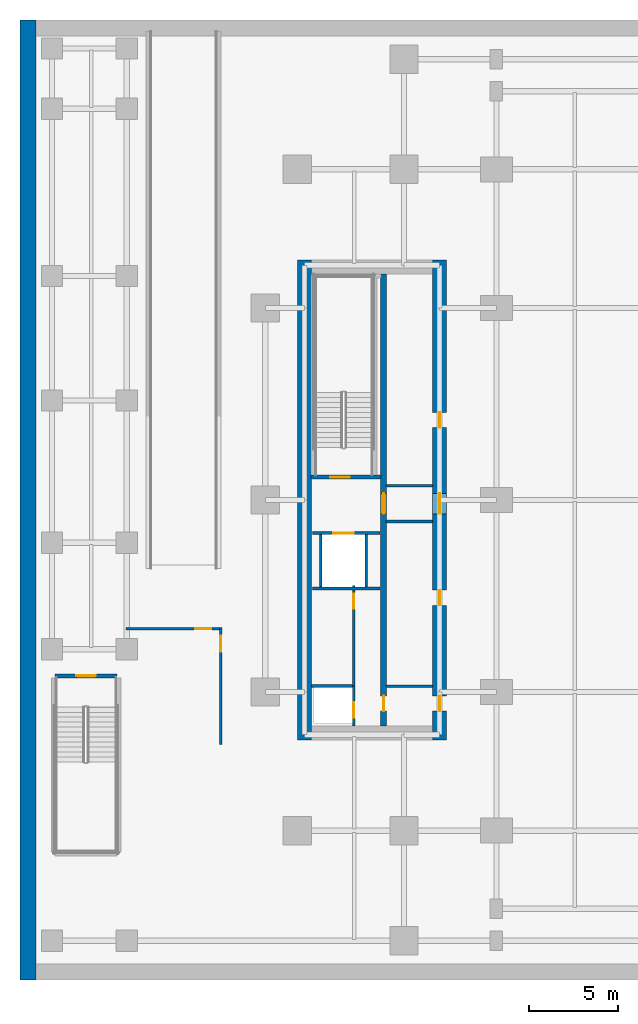
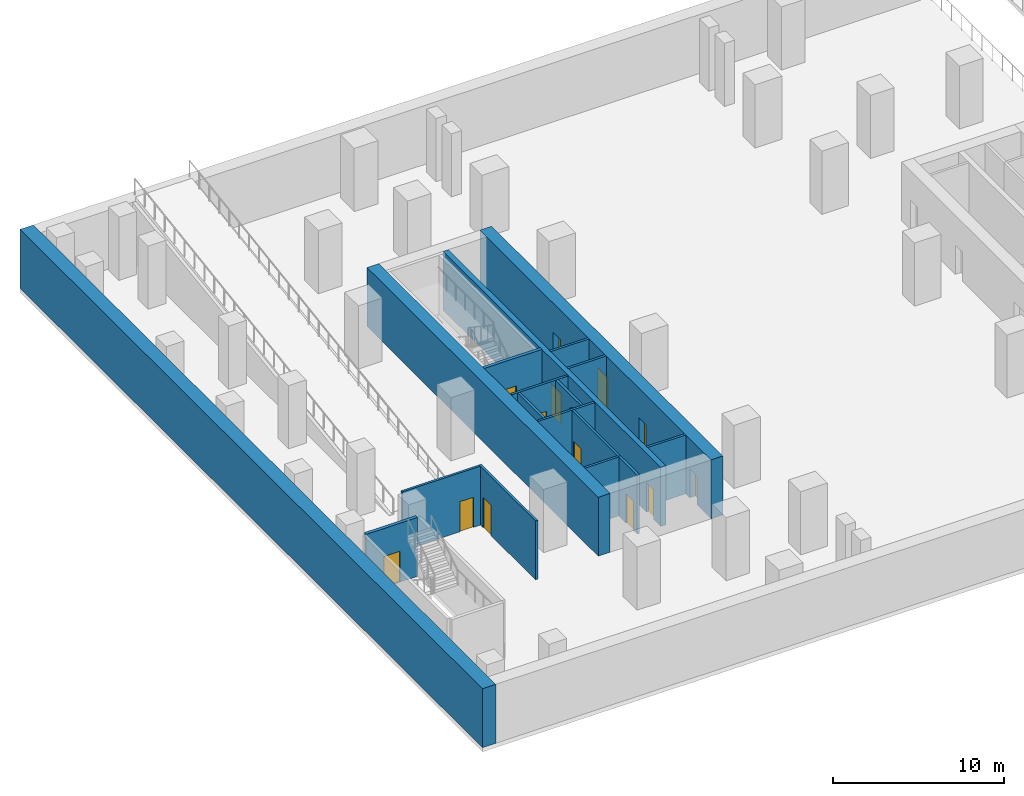
# One storey, part 4 of 14: 18 walls, 13 doors, 13 openings.
"""IFC4 building model written with IfcOpenShell, lengths in metres."""

import ifcopenshell
import ifcopenshell.guid

model = None  # the IFC model being written
_history = None  # IfcOwnerHistory: only IFC2X3 demands one
_inside = {}  # id of a spatial element -> (the spatial element, [elements in it])
_under = {}  # id of a project, library or spatial element -> (it, [spatial elements below it])
_declared = {}  # id of a project -> (the project, [libraries it declares])
_typed = {}  # id of a type object -> (the type object, [elements of that type])
_made_of = {}  # id of a material, layer set ... -> (it, [elements and type objects made of it])


def new_model(schema):
    """Start an empty IFC model of exactly this schema.

    Asked for "IFC4X3", IfcOpenShell would pick the latest addendum, in which some entities
    have other attributes; the version numbers below select the first issue.
    IFC2X3 requires an IfcOwnerHistory on every rooted entity: one is made here for all.
    """
    global model, _history
    if schema == "IFC4X3":
        model = ifcopenshell.file(schema_version=(4, 3, 0, 0))
    else:
        model = ifcopenshell.file(schema=schema)
    _inside.clear()
    _under.clear()
    _declared.clear()
    _typed.clear()
    _made_of.clear()
    _history = None
    if model.schema == "IFC2X3":
        org = make("IfcOrganization", Name="unknown")
        user = make(
            "IfcPersonAndOrganization",
            ThePerson=make("IfcPerson", FamilyName="unknown"),
            TheOrganization=org,
        )
        app = make(
            "IfcApplication",
            ApplicationDeveloper=org,
            Version="unknown",
            ApplicationFullName="unknown",
            ApplicationIdentifier="unknown",
        )
        _history = make(
            "IfcOwnerHistory",
            OwningUser=user,
            OwningApplication=app,
            ChangeAction="ADDED",
            CreationDate=0,
        )
    return model


def make(cls, **values):
    """One entity of the class cls with the attributes given. An attribute that is None is left unset."""
    return model.create_entity(
        cls, **{name: value for name, value in values.items() if value is not None}
    )


def rooted(cls, **values):
    """An entity with a GlobalId (a new one), such as an element, a storey or a relation."""
    return make(cls, GlobalId=ifcopenshell.guid.new(), OwnerHistory=_history, **values)


def si_unit(unit_type, name, prefix=None):
    """IfcSIUnit, for example si_unit("LENGTHUNIT", "METRE", prefix="MILLI")."""
    return make("IfcSIUnit", UnitType=unit_type, Prefix=prefix, Name=name)


def assignment(units):
    """IfcUnitAssignment: the units of a project."""
    return None if units is None else make("IfcUnitAssignment", Units=units)


def point(xyz):
    """IfcCartesianPoint."""
    return None if xyz is None else make("IfcCartesianPoint", Coordinates=xyz)


def direction(xyz):
    """IfcDirection."""
    return None if xyz is None else make("IfcDirection", DirectionRatios=xyz)


def frame(location, z_axis=None, x_axis=None):
    """IfcAxis2Placement3D, a coordinate frame: its origin and axes. An axis left out is left unset."""
    return make(
        "IfcAxis2Placement3D",
        Location=point(location),
        Axis=direction(z_axis),
        RefDirection=direction(x_axis),
    )


def frame_2d(location, x_axis=None):
    """IfcAxis2Placement2D, a coordinate frame in the plane: its origin and x axis."""
    return make(
        "IfcAxis2Placement2D", Location=point(location), RefDirection=direction(x_axis)
    )


def origin():
    """The frame at (0, 0, 0) with its axes left unset."""
    return frame((0.0, 0.0, 0.0))


def place(relative_to, where):
    """IfcLocalPlacement: puts the frame where relative to a parent placement (None: the world)."""
    return make(
        "IfcLocalPlacement", PlacementRelTo=relative_to, RelativePlacement=where
    )


def context(
    kind, dimensions, precision=None, world=None, true_north=None, identifier=None
):
    """IfcGeometricRepresentationContext, for example the 3D "Model" context."""
    return make(
        "IfcGeometricRepresentationContext",
        ContextIdentifier=identifier,
        ContextType=kind,
        CoordinateSpaceDimension=dimensions,
        Precision=precision,
        WorldCoordinateSystem=world,
        TrueNorth=true_north,
    )


def subcontext(parent, identifier, kind, view, scale=None):
    """IfcGeometricRepresentationSubContext, for example "Body" below "Model"."""
    return make(
        "IfcGeometricRepresentationSubContext",
        ContextIdentifier=identifier,
        ContextType=kind,
        ParentContext=parent,
        TargetScale=scale,
        TargetView=view,
    )


def project(units=None, contexts=None):
    """IfcProject with its units and contexts."""
    return rooted(
        "IfcProject",
        Name="project",
        RepresentationContexts=contexts,
        UnitsInContext=assignment(units),
    )


def spatial(cls, under=None, at=None, **own):
    """A site, building, storey or space (cls), placed at a placement, below another one or the project."""
    s = rooted(cls, ObjectPlacement=at, **own)
    if under is not None:
        _under.setdefault(under.id(), (under, []))[1].append(s)
    return s


def profile(cls, at=None, kind="AREA", **sizes):
    """A parametric profile (cls). Its sizes go by their IFC names, for example OverallWidth=200.0."""
    return make(cls, ProfileType=kind, Position=at, **sizes)


def rectangle(**sizes):
    """IfcRectangleProfileDef."""
    return profile("IfcRectangleProfileDef", **sizes)


def extrude(swept, where, along, depth):
    """IfcExtrudedAreaSolid: the profile swept, set in the frame where, extruded along a direction by depth."""
    return make(
        "IfcExtrudedAreaSolid",
        SweptArea=swept,
        Position=where,
        ExtrudedDirection=direction(along),
        Depth=depth,
    )


def shape(context_of_items, identifier, shape_type, items):
    """IfcShapeRepresentation: the items that make up one representation, for example the "Body"."""
    return make(
        "IfcShapeRepresentation",
        ContextOfItems=context_of_items,
        RepresentationIdentifier=identifier,
        RepresentationType=shape_type,
        Items=items,
    )


def material(Name=None, Category=None):
    """IfcMaterial."""
    return make("IfcMaterial", Name=Name, Category=Category)


def layer(
    of_material, thickness, ventilated=None, Name=None, Category=None, Priority=None
):
    """IfcMaterialLayer: one layer of a wall or slab, of a material (None: an air gap)."""
    return make(
        "IfcMaterialLayer",
        Material=of_material,
        LayerThickness=thickness,
        IsVentilated=ventilated,
        Name=Name,
        Category=Category,
        Priority=Priority,
    )


def layer_set(layers, Name=None):
    """IfcMaterialLayerSet."""
    return make("IfcMaterialLayerSet", MaterialLayers=layers, LayerSetName=Name)


def made_of(thing, what):
    """Note that an element or type object is made of a material, layer set ...; save() writes the relation."""
    if what is not None:
        _made_of.setdefault(what.id(), (what, []))[1].append(thing)
    return thing


def type_object(cls, material=None, **own):
    """A type object (cls), such as IfcWallType, which elements share."""
    return made_of(rooted(cls, **own), material)


def element(
    cls,
    number,
    at=None,
    inside=None,
    cuts=None,
    type_object=None,
    material=None,
    context=None,
    identifier="Body",
    shape_type=None,
    held_by="IfcProductDefinitionShape",
    body=None,
    shapes=None,
    **own,
):
    """One element of the class cls, such as IfcWall. Its Tag is "e" and its number.

    at: its placement. inside: the storey or other place that contains it. cuts: it is an
    opening in that element (IfcRelVoidsElement). A single representation is given by context,
    identifier, shape_type and body (its items); several are given by shapes. held_by: the class
    of the entity that holds the representations. save() writes the other relations.
    """
    e = rooted(cls, Tag="e%d" % number, ObjectPlacement=at, **own)
    if body is not None:
        shapes = [shape(context, identifier, shape_type, body)]
    if shapes is not None:
        e.Representation = make(held_by, Representations=shapes)
    if inside is not None:
        _inside.setdefault(inside.id(), (inside, []))[1].append(e)
    if cuts is not None:
        rooted(
            "IfcRelVoidsElement", RelatingBuildingElement=cuts, RelatedOpeningElement=e
        )
    if type_object is not None:
        _typed.setdefault(type_object.id(), (type_object, []))[1].append(e)
    return made_of(e, material)


def fill(opening, filler):
    """IfcRelFillsElement: the door or window that sits in an opening."""
    return rooted(
        "IfcRelFillsElement",
        RelatingOpeningElement=opening,
        RelatedBuildingElement=filler,
    )


def aggregate(whole, parts):
    """IfcRelAggregates: a whole, such as a stair, and the parts it consists of."""
    return rooted("IfcRelAggregates", RelatingObject=whole, RelatedObjects=parts)


def save(model, path):
    """Write the relations noted so far, then the file.

    IfcRelAggregates (storeys below a building ...), IfcRelContainedInSpatialStructure (elements
    in a storey), IfcRelDefinesByType, IfcRelAssociatesMaterial and IfcRelDeclares: one each for
    every whole, place, type object, material and project.
    """
    for whole, parts in _under.values():
        aggregate(whole, parts)
    for where, things in _inside.values():
        rooted(
            "IfcRelContainedInSpatialStructure",
            RelatedElements=things,
            RelatingStructure=where,
        )
    for kind, things in _typed.values():
        rooted("IfcRelDefinesByType", RelatedObjects=things, RelatingType=kind)
    for what, things in _made_of.values():
        rooted("IfcRelAssociatesMaterial", RelatedObjects=things, RelatingMaterial=what)
    for by, libraries in _declared.values():
        rooted("IfcRelDeclares", RelatingContext=by, RelatedDefinitions=libraries)
    model.write(path)


model = new_model("IFC4")

# Units and contexts
model_context = context("Model", 3, precision=1e-05, world=origin(), true_north=direction((0.0, 1.0)))
body_context = subcontext(model_context, "Body", "Model", "MODEL_VIEW")
ifc_project = project(units=[si_unit("LENGTHUNIT", "METRE"), si_unit("AREAUNIT", "SQUARE_METRE"), si_unit("VOLUMEUNIT", "CUBIC_METRE"), si_unit("PLANEANGLEUNIT", "RADIAN"), si_unit("MASSUNIT", "GRAM", prefix="KILO")], contexts=[model_context])

# Site, building, storey
site_placement = place(None, origin())
site = spatial("IfcSite", under=ifc_project, at=site_placement, CompositionType="ELEMENT")
building_placement = place(site_placement, origin())
building = spatial("IfcBuilding", under=site, at=building_placement, Name="Khairoan Windgate Tower", CompositionType="ELEMENT")
storey_placement = place(building_placement, frame((0.0, 0.0, -4.5)))
storey = spatial("IfcBuildingStorey", under=building, at=storey_placement, Name="B1", CompositionType="ELEMENT", Elevation=-4.5)

# Wall, opening, door
ifc_material_1 = material(Name="Concrete C40/50", Category="concrete")
ifc_layer_1 = layer(ifc_material_1, 0.159912109375, Name="Concrete C40/50")
ifc_layer_set_1 = layer_set([ifc_layer_1], Name="Concrete C40/50")
wall_type_1 = type_object("IfcWallType", Name="Core and Hoistway Enclosure Wall", PredefinedType="STANDARD", material=ifc_layer_set_1)
wall_1_placement = place(storey_placement, frame((-19.550048828125, -1.860107421875, 0.0), z_axis=(0.0, 0.0, 1.0), x_axis=(1.0, 0.0, 0.0)))
wall_1 = element("IfcWall", 1, at=wall_1_placement, inside=storey, type_object=wall_type_1, Name="B1 Core Shaft Wall SW-FL2-B1", PredefinedType="STANDARD", context=body_context, shape_type="SweptSolid", body=[
    extrude(rectangle(XDim=3.800048828125, YDim=0.159912109375, at=frame_2d((1.89990234375, 0.0))), origin(), (0.0, 0.0, 1.0), 4.199951171875),
])
opening_1_placement = place(wall_1_placement, frame((1.179931640625, 0.0, 0.0)))
opening_1 = element("IfcOpeningElement", 2, at=opening_1_placement, cuts=wall_1, Name="Opening LD-FL", PredefinedType="OPENING", context=body_context, shape_type="SweptSolid", body=[
    extrude(rectangle(XDim=1.14990234375, YDim=2.199951171875, at=frame_2d((0.574951171875, 1.10009765625))), frame((0.0, 0.08984375, 0.0), z_axis=(0.0, -1.0, 0.0), x_axis=(1.0, 0.0, 0.0)), (0.0, 0.0, 1.0), 0.179931640625),
])
ifc_material_2 = material(Name="Steel S355", Category="steel")
door_type_1 = type_object("IfcDoorType", Name="Firefighting Lift Sliding Landing Door LD-FL 1150x2200", OperationType="DOUBLE_DOOR_SLIDING", PredefinedType="DOOR", material=ifc_material_2)
door_1_placement = place(opening_1_placement, origin())
door_1 = element("IfcDoor", 3, at=door_1_placement, inside=storey, type_object=door_type_1, Name="B1 Firefighting Lift FL2 Landing Door", OperationType="DOUBLE_DOOR_SLIDING", OverallHeight=2.199951171875, OverallWidth=1.14990234375, PredefinedType="DOOR", context=body_context, shape_type="SweptSolid", body=[
    extrude(rectangle(XDim=1.14990234375, YDim=2.199951171875, at=frame_2d((0.574951171875, 1.10009765625))), frame((0.0, 0.02490234375, 0.0), z_axis=(0.0, -1.0, 0.0), x_axis=(1.0, 0.0, 0.0)), (0.0, 0.0, 1.0), 0.050048828125),
])
fill(opening_1, door_1)

# Walls
wall_2_placement = place(storey_placement, frame((-19.550048828125, -4.97998046875, 0.0), z_axis=(0.0, 0.0, 1.0), x_axis=(1.0, 0.0, 0.0)))
element("IfcWall", 4, at=wall_2_placement, inside=storey, type_object=wall_type_1, Name="B1 Core Shaft Wall SW-FL2B-B1", PredefinedType="STANDARD", context=body_context, shape_type="SweptSolid", body=[
    extrude(rectangle(XDim=3.800048828125, YDim=0.159912109375, at=frame_2d((1.89990234375, 0.0))), origin(), (0.0, 0.0, 1.0), 4.199951171875),
])
for number, where, z_axis, x_axis, name in (
    (5, (-19.080078125, -4.89990234375, 0.0), (0.0, 0.0, 1.0), (0.0, 1.0, 0.0), "B1 Core Shaft Wall SW-FL2W-B1"),
    (6, (-16.52001953125, -4.89990234375, 0.0), (0.0, 0.0, 1.0), (0.0, 1.0, 0.0), "B1 Core Shaft Wall SW-FL2E-B1"),
):
    element("IfcWall", number, at=place(storey_placement, frame(where, z_axis=z_axis, x_axis=x_axis)), inside=storey, type_object=wall_type_1, Name=name, PredefinedType="STANDARD", context=body_context, shape_type="SweptSolid", body=[
        extrude(rectangle(XDim=2.9599609375, YDim=0.159912109375, at=frame_2d((1.47998046875, 0.0))), origin(), (0.0, 0.0, 1.0), 4.199951171875),
    ])
for number, where, z_axis, x_axis, name in (
    (7, (-15.39990234375, 0.800048828125, 0.0), (0.0, 0.0, 1.0), (1.0, 0.0, 0.0), "B1 Core Shaft Wall SW-WV1-B1"),
    (8, (-15.39990234375, -1.199951171875, 0.0), (0.0, 0.0, 1.0), (1.0, 0.0, 0.0), "B1 Core Shaft Wall SW-WV2-B1"),
    (9, (-15.39990234375, -10.47998046875, 0.0), (0.0, 0.0, 1.0), (1.0, 0.0, 0.0), "B1 Core Shaft Wall SW-WSV-B1"),
):
    element("IfcWall", number, at=place(storey_placement, frame(where, z_axis=z_axis, x_axis=x_axis)), inside=storey, type_object=wall_type_1, Name=name, PredefinedType="STANDARD", context=body_context, shape_type="SweptSolid", body=[
        extrude(rectangle(XDim=2.599853515625, YDim=0.159912109375, at=frame_2d((1.2998046875, 0.0))), origin(), (0.0, 0.0, 1.0), 4.199951171875),
    ])

# Wall, opening, door
ifc_material_3 = material(Name="Concrete C40/50", Category="concrete")
ifc_layer_2 = layer(ifc_material_3, 0.159912109375, Name="Concrete C40/50")
ifc_layer_set_2 = layer_set([ifc_layer_2], Name="Concrete C40/50")
wall_type_2 = type_object("IfcWallType", Name="Plant and Refuge Compartment Wall", PredefinedType="PARTITIONING", material=ifc_layer_set_2)
wall_3_placement = place(storey_placement, frame((-17.22998046875, -12.699951171875, 0.0), z_axis=(0.0, 0.0, 1.0), x_axis=(0.0, 1.0, 0.0)))
wall_3 = element("IfcWall", 10, at=wall_3_placement, inside=storey, type_object=wall_type_2, Name="B1 Interior Partition 001", PredefinedType="PARTITIONING", context=body_context, shape_type="SweptSolid", body=[
    extrude(rectangle(XDim=2.22998046875, YDim=0.159912109375, at=frame_2d((1.114990234375, 0.0))), origin(), (0.0, 0.0, 1.0), 4.199951171875),
])
opening_2_placement = place(wall_3_placement, frame((0.4599609375, 0.0, 0.0)))
opening_2 = element("IfcOpeningElement", 11, at=opening_2_placement, cuts=wall_3, Name="Opening FD-SRV", PredefinedType="OPENING", context=body_context, shape_type="SweptSolid", body=[
    extrude(rectangle(XDim=0.85009765625, YDim=2.10009765625, at=frame_2d((0.425048828125, 1.050048828125))), frame((0.0, 0.08984375, 0.0), z_axis=(0.0, -1.0, 0.0), x_axis=(1.0, 0.0, 0.0)), (0.0, 0.0, 1.0), 0.179931640625),
])
ifc_material_4 = material(Name="Steel S355", Category="steel")
door_type_2 = type_object("IfcDoorType", Name="Core Service and Riser Fire Door FD-SRV 850x2100", OperationType="NOTDEFINED", PredefinedType="DOOR", material=ifc_material_4)
door_2_placement = place(opening_2_placement, origin())
door_2 = element("IfcDoor", 12, at=door_2_placement, inside=storey, type_object=door_type_2, Name="B1 B1-04-B1-05 Door", OperationType="SINGLE_SWING_LEFT", OverallHeight=2.10009765625, OverallWidth=0.85009765625, PredefinedType="DOOR", context=body_context, shape_type="SweptSolid", body=[
    extrude(rectangle(XDim=0.85009765625, YDim=2.10009765625, at=frame_2d((0.425048828125, 1.050048828125))), frame((0.0, 0.02490234375, 0.0), z_axis=(0.0, -1.0, 0.0), x_axis=(1.0, 0.0, 0.0)), (0.0, 0.0, 1.0), 0.050048828125),
])
fill(opening_2, door_2)

wall_4_placement = place(storey_placement, frame((-17.22998046875, -10.469970703125, 0.0), z_axis=(0.0, 0.0, 1.0), x_axis=(0.0, 1.0, 0.0)))
wall_4 = element("IfcWall", 13, at=wall_4_placement, inside=storey, type_object=wall_type_2, Name="B1 Interior Partition 002", PredefinedType="PARTITIONING", context=body_context, shape_type="SweptSolid", body=[
    extrude(rectangle(XDim=5.659912109375, YDim=0.159912109375, at=frame_2d((2.830078125, 0.0))), origin(), (0.0, 0.0, 1.0), 4.199951171875),
])
opening_3_placement = place(wall_4_placement, frame((4.35009765625, 0.0, 0.0)))
opening_3 = element("IfcOpeningElement", 14, at=opening_3_placement, cuts=wall_4, Name="Opening FD-SRV", PredefinedType="OPENING", context=body_context, shape_type="SweptSolid", body=[
    extrude(rectangle(XDim=0.85009765625, YDim=2.10009765625, at=frame_2d((0.425048828125, 1.050048828125))), frame((0.0, 0.08984375, 0.0), z_axis=(0.0, -1.0, 0.0), x_axis=(1.0, 0.0, 0.0)), (0.0, 0.0, 1.0), 0.179931640625),
])
door_3_placement = place(opening_3_placement, origin())
door_3 = element("IfcDoor", 15, at=door_3_placement, inside=storey, type_object=door_type_2, Name="B1 B1-04-B1-06 Door", OperationType="SINGLE_SWING_RIGHT", OverallHeight=2.10009765625, OverallWidth=0.85009765625, PredefinedType="DOOR", context=body_context, shape_type="SweptSolid", body=[
    extrude(rectangle(XDim=0.85009765625, YDim=2.10009765625, at=frame_2d((0.425048828125, 1.050048828125))), frame((0.0, 0.02490234375, 0.0), z_axis=(0.0, -1.0, 0.0), x_axis=(1.0, 0.0, 0.0)), (0.0, 0.0, 1.0), 0.050048828125),
])
fill(opening_3, door_3)

# Wall
wall_5_placement = place(storey_placement, frame((-19.60009765625, -10.469970703125, 0.0), z_axis=(0.0, 0.0, 1.0), x_axis=(1.0, 0.0, 0.0)))
element("IfcWall", 16, at=wall_5_placement, inside=storey, type_object=wall_type_2, Name="B1 Interior Partition 003", PredefinedType="PARTITIONING", context=body_context, shape_type="SweptSolid", body=[
    extrude(rectangle(XDim=2.2900390625, YDim=0.159912109375, at=frame_2d((1.14501953125, 0.0))), origin(), (0.0, 0.0, 1.0), 4.199951171875),
])

# Wall, opening, door
ifc_material_5 = material(Name="Acoustic Fire-Rated Gypsum Partition", Category="gypsum")
ifc_layer_3 = layer(ifc_material_5, 0.14990234375, Name="Acoustic Fire-Rated Gypsum Partition")
ifc_layer_set_3 = layer_set([ifc_layer_3], Name="Acoustic Fire-Rated Gypsum Partition")
wall_type_3 = type_object("IfcWallType", Name="Rated Corridor Partition Wall", PredefinedType="PARTITIONING", material=ifc_layer_set_3)
wall_6_placement = place(storey_placement, frame((-24.699951171875, -13.760009765625, 0.0), z_axis=(0.0, 0.0, 1.0), x_axis=(0.0, 1.0, 0.0)))
wall_6 = element("IfcWall", 17, at=wall_6_placement, inside=storey, type_object=wall_type_3, Name="B1 Interior Partition 010", PredefinedType="PARTITIONING", context=body_context, shape_type="SweptSolid", body=[
    extrude(rectangle(XDim=6.594970703125, YDim=0.14990234375, at=frame_2d((3.29736328125, 0.0))), origin(), (0.0, 0.0, 1.0), 4.199951171875),
])
opening_4_placement = place(wall_6_placement, frame((5.235107421875, 0.0, 0.0)))
opening_4 = element("IfcOpeningElement", 18, at=opening_4_placement, cuts=wall_6, Name="Opening FD-ENT", PredefinedType="OPENING", context=body_context, shape_type="SweptSolid", body=[
    extrude(rectangle(XDim=0.89990234375, YDim=2.14990234375, at=frame_2d((0.449951171875, 1.074951171875))), frame((0.0, 0.0849609375, 0.0), z_axis=(0.0, -1.0, 0.0), x_axis=(1.0, 0.0, 0.0)), (0.0, 0.0, 1.0), 0.169921875),
])
ifc_material_6 = material(Name="Timber Fire-Rated Core", Category="wood")
door_type_3 = type_object("IfcDoorType", Name="Unit and Office Fire Entrance Door FD-ENT 900x2150", OperationType="NOTDEFINED", PredefinedType="DOOR", material=ifc_material_6)
door_4_placement = place(opening_4_placement, origin())
door_4 = element("IfcDoor", 19, at=door_4_placement, inside=storey, type_object=door_type_3, Name="B1 B1-34-B1-47 Door", OperationType="SINGLE_SWING_LEFT", OverallHeight=2.14990234375, OverallWidth=0.89990234375, PredefinedType="DOOR", context=body_context, shape_type="SweptSolid", body=[
    extrude(rectangle(XDim=0.89990234375, YDim=2.14990234375, at=frame_2d((0.449951171875, 1.074951171875))), frame((0.0, 0.02490234375, 0.0), z_axis=(0.0, -1.0, 0.0), x_axis=(1.0, 0.0, 0.0)), (0.0, 0.0, 1.0), 0.050048828125),
])
fill(opening_4, door_4)

wall_7_placement = place(storey_placement, frame((-30.0400390625, -7.239990234375, 0.0), z_axis=(0.0, 0.0, 1.0), x_axis=(1.0, 0.0, 0.0)))
wall_7 = element("IfcWall", 20, at=wall_7_placement, inside=storey, type_object=wall_type_3, Name="B1 Interior Partition 012", PredefinedType="PARTITIONING", context=body_context, shape_type="SweptSolid", body=[
    extrude(rectangle(XDim=5.26513671875, YDim=0.14990234375, at=frame_2d((2.632568359375, 0.0))), origin(), (0.0, 0.0, 1.0), 4.199951171875),
])
opening_5_placement = place(wall_7_placement, frame((3.905029296875, 0.0, 0.0)))
opening_5 = element("IfcOpeningElement", 21, at=opening_5_placement, cuts=wall_7, Name="Opening FD-ENT", PredefinedType="OPENING", context=body_context, shape_type="SweptSolid", body=[
    extrude(rectangle(XDim=0.89990234375, YDim=2.14990234375, at=frame_2d((0.449951171875, 1.074951171875))), frame((0.0, 0.0849609375, 0.0), z_axis=(0.0, -1.0, 0.0), x_axis=(1.0, 0.0, 0.0)), (0.0, 0.0, 1.0), 0.169921875),
])
door_5_placement = place(opening_5_placement, origin())
door_5 = element("IfcDoor", 22, at=door_5_placement, inside=storey, type_object=door_type_3, Name="B1 B1-43-B1-47 Door", OperationType="SINGLE_SWING_LEFT", OverallHeight=2.14990234375, OverallWidth=0.89990234375, PredefinedType="DOOR", context=body_context, shape_type="SweptSolid", body=[
    extrude(rectangle(XDim=0.89990234375, YDim=2.14990234375, at=frame_2d((0.449951171875, 1.074951171875))), frame((0.0, 0.02490234375, 0.0), z_axis=(0.0, -1.0, 0.0), x_axis=(1.0, 0.0, 0.0)), (0.0, 0.0, 1.0), 0.050048828125),
])
fill(opening_5, door_5)

# Wall
ifc_material_7 = material(Name="Concrete C70/85", Category="concrete")
ifc_layer_4 = layer(ifc_material_7, 0.800048828125, Name="Concrete C70/85")
ifc_layer_set_4 = layer_set([ifc_layer_4], Name="Concrete C70/85")
wall_type_4 = type_object("IfcWallType", Name="Shear Wall CW-W1 800mm", PredefinedType="SHEAR", material=ifc_layer_set_4)
wall_8_placement = place(storey_placement, frame((-20.0, -13.5, 0.0), z_axis=(0.0, 0.0, 1.0), x_axis=(0.0, 1.0, 0.0)))
element("IfcWall", 23, at=wall_8_placement, inside=storey, type_object=wall_type_4, Name="W Core West Shear Wall B1", PredefinedType="SHEAR", context=body_context, shape_type="SweptSolid", body=[
    extrude(rectangle(XDim=27.0, YDim=0.800048828125, at=frame_2d((13.5, 0.0))), origin(), (0.0, 0.0, 1.0), 4.199951171875),
])

# Wall, openings, doors
wall_9_placement = place(storey_placement, frame((-12.39990234375, -13.5, 0.0), z_axis=(0.0, 0.0, 1.0), x_axis=(0.0, 1.0, 0.0)))
wall_9 = element("IfcWall", 24, at=wall_9_placement, inside=storey, type_object=wall_type_4, Name="W Core East Shear Wall B1", PredefinedType="SHEAR", context=body_context, shape_type="SweptSolid", body=[
    extrude(rectangle(XDim=27.0, YDim=0.800048828125, at=frame_2d((13.5, 0.0))), origin(), (0.0, 0.0, 1.0), 4.199951171875),
])
opening_6_placement = place(wall_9_placement, frame((17.574951171875, 0.0, 0.0)))
opening_6 = element("IfcOpeningElement", 25, at=opening_6_placement, cuts=wall_9, Name="Opening FD-SRV", PredefinedType="OPENING", context=body_context, shape_type="SweptSolid", body=[
    extrude(rectangle(XDim=0.85009765625, YDim=2.10009765625, at=frame_2d((0.425048828125, 1.050048828125))), frame((0.0, 0.409912109375, 0.0), z_axis=(0.0, -1.0, 0.0), x_axis=(1.0, 0.0, 0.0)), (0.0, 0.0, 1.0), 0.820068359375),
])
opening_7_placement = place(wall_9_placement, frame((7.574951171875, 0.0, 0.0)))
opening_7 = element("IfcOpeningElement", 26, at=opening_7_placement, cuts=wall_9, Name="Opening FD-SRV", PredefinedType="OPENING", context=body_context, shape_type="SweptSolid", body=[
    extrude(rectangle(XDim=0.85009765625, YDim=2.10009765625, at=frame_2d((0.425048828125, 1.050048828125))), frame((0.0, 0.409912109375, 0.0), z_axis=(0.0, -1.0, 0.0), x_axis=(1.0, 0.0, 0.0)), (0.0, 0.0, 1.0), 0.820068359375),
])
opening_8_placement = place(wall_9_placement, frame((12.72509765625, 0.0, 0.0)))
opening_8 = element("IfcOpeningElement", 27, at=opening_8_placement, cuts=wall_9, Name="Opening FD-FFL", PredefinedType="OPENING", context=body_context, shape_type="SweptSolid", body=[
    extrude(rectangle(XDim=1.14990234375, YDim=2.199951171875, at=frame_2d((0.574951171875, 1.10009765625))), frame((0.0, 0.409912109375, 0.0), z_axis=(0.0, -1.0, 0.0), x_axis=(1.0, 0.0, 0.0)), (0.0, 0.0, 1.0), 0.820068359375),
])
opening_9_placement = place(wall_9_placement, frame((1.625, 0.0, 0.0)))
opening_9 = element("IfcOpeningElement", 28, at=opening_9_placement, cuts=wall_9, Name="Opening FD-SRV", PredefinedType="OPENING", context=body_context, shape_type="SweptSolid", body=[
    extrude(rectangle(XDim=0.85009765625, YDim=2.10009765625, at=frame_2d((0.425048828125, 1.050048828125))), frame((0.0, 0.409912109375, 0.0), z_axis=(0.0, -1.0, 0.0), x_axis=(1.0, 0.0, 0.0)), (0.0, 0.0, 1.0), 0.820068359375),
])
door_6_placement = place(opening_6_placement, origin())
door_6 = element("IfcDoor", 29, at=door_6_placement, inside=storey, type_object=door_type_2, Name="B1 West Basement Smoke Plant Door", OperationType="SINGLE_SWING_LEFT", OverallHeight=2.10009765625, OverallWidth=0.85009765625, PredefinedType="DOOR", context=body_context, shape_type="SweptSolid", body=[
    extrude(rectangle(XDim=0.85009765625, YDim=2.10009765625, at=frame_2d((0.425048828125, 1.050048828125))), frame((0.0, 0.02490234375, 0.0), z_axis=(0.0, -1.0, 0.0), x_axis=(1.0, 0.0, 0.0)), (0.0, 0.0, 1.0), 0.050048828125),
])
fill(opening_6, door_6)
door_7_placement = place(opening_7_placement, origin())
door_7 = element("IfcDoor", 30, at=door_7_placement, inside=storey, type_object=door_type_2, Name="B1 West Basement Sump Plant Door", OperationType="SINGLE_SWING_RIGHT", OverallHeight=2.10009765625, OverallWidth=0.85009765625, PredefinedType="DOOR", context=body_context, shape_type="SweptSolid", body=[
    extrude(rectangle(XDim=0.85009765625, YDim=2.10009765625, at=frame_2d((0.425048828125, 1.050048828125))), frame((0.0, 0.02490234375, 0.0), z_axis=(0.0, -1.0, 0.0), x_axis=(1.0, 0.0, 0.0)), (0.0, 0.0, 1.0), 0.050048828125),
])
fill(opening_7, door_7)
door_8_placement = place(opening_9_placement, origin())
door_8 = element("IfcDoor", 31, at=door_8_placement, inside=storey, type_object=door_type_2, Name="B1 West Core Service Vestibule Outer Door", OperationType="SINGLE_SWING_LEFT", OverallHeight=2.10009765625, OverallWidth=0.85009765625, PredefinedType="DOOR", context=body_context, shape_type="SweptSolid", body=[
    extrude(rectangle(XDim=0.85009765625, YDim=2.10009765625, at=frame_2d((0.425048828125, 1.050048828125))), frame((0.0, 0.02490234375, 0.0), z_axis=(0.0, -1.0, 0.0), x_axis=(1.0, 0.0, 0.0)), (0.0, 0.0, 1.0), 0.050048828125),
])
fill(opening_9, door_8)
ifc_material_8 = material(Name="Steel S355", Category="steel")
door_type_4 = type_object("IfcDoorType", Name="Firefighting Lobby Fire Door FD-FFL 1150x2200", OperationType="NOTDEFINED", PredefinedType="DOOR", material=ifc_material_8)
door_9_placement = place(opening_8_placement, origin())
door_9 = element("IfcDoor", 32, at=door_9_placement, inside=storey, type_object=door_type_4, Name="B1 West Core Vestibule Entry Door", OperationType="SINGLE_SWING_LEFT", OverallHeight=2.199951171875, OverallWidth=1.14990234375, PredefinedType="DOOR", context=body_context, shape_type="SweptSolid", body=[
    extrude(rectangle(XDim=1.14990234375, YDim=2.199951171875, at=frame_2d((0.574951171875, 1.10009765625))), frame((0.0, 0.02490234375, 0.0), z_axis=(0.0, -1.0, 0.0), x_axis=(1.0, 0.0, 0.0)), (0.0, 0.0, 1.0), 0.050048828125),
])
fill(opening_8, door_9)

# Wall
ifc_material_9 = material(Name="Concrete C50/60", Category="concrete")
ifc_layer_5 = layer(ifc_material_9, 0.89990234375, Name="Concrete C50/60")
ifc_layer_set_5 = layer_set([ifc_layer_5], Name="Concrete C50/60")
wall_type_5 = type_object("IfcWallType", Name="Shear Wall DW-B1 900mm", PredefinedType="SHEAR", material=ifc_layer_set_5)
wall_10_placement = place(storey_placement, frame((-35.550048828125, -27.0, 0.0), z_axis=(0.0, 0.0, 1.0), x_axis=(0.0, 1.0, 0.0)))
element("IfcWall", 33, at=wall_10_placement, inside=storey, type_object=wall_type_5, Name="West Diaphragm Wall B1", PredefinedType="SHEAR", context=body_context, shape_type="SweptSolid", body=[
    extrude(rectangle(XDim=54.0, YDim=0.89990234375, at=frame_2d((27.0, 0.0))), origin(), (0.0, 0.0, 1.0), 4.199951171875),
])

# Wall, openings, doors
ifc_material_10 = material(Name="Concrete C60/75", Category="concrete")
ifc_layer_6 = layer(ifc_material_10, 0.35009765625, Name="Concrete C60/75")
ifc_layer_set_6 = layer_set([ifc_layer_6], Name="Concrete C60/75")
wall_type_6 = type_object("IfcWallType", Name="Shear Wall SW-1 350mm", PredefinedType="SHEAR", material=ifc_layer_set_6)
wall_11_placement = place(storey_placement, frame((-15.550048828125, -12.699951171875, 0.0), z_axis=(0.0, 0.0, 1.0), x_axis=(0.0, 1.0, 0.0)))
wall_11 = element("IfcWall", 34, at=wall_11_placement, inside=storey, type_object=wall_type_6, Name="W Core Spine Shear Wall B1", PredefinedType="SHEAR", context=body_context, shape_type="SweptSolid", body=[
    extrude(rectangle(XDim=25.39990234375, YDim=0.35009765625, at=frame_2d((12.699951171875, 0.0))), origin(), (0.0, 0.0, 1.0), 4.199951171875),
])
opening_10_placement = place(wall_11_placement, frame((11.925048828125, 0.0, 0.0)))
opening_10 = element("IfcOpeningElement", 35, at=opening_10_placement, cuts=wall_11, Name="Opening FD-FFL", PredefinedType="OPENING", context=body_context, shape_type="SweptSolid", body=[
    extrude(rectangle(XDim=1.14990234375, YDim=2.199951171875, at=frame_2d((0.574951171875, 1.10009765625))), frame((0.0, 0.18505859375, 0.0), z_axis=(0.0, -1.0, 0.0), x_axis=(1.0, 0.0, 0.0)), (0.0, 0.0, 1.0), 0.3701171875),
])
opening_11_placement = place(wall_11_placement, frame((0.824951171875, 0.0, 0.0)))
opening_11 = element("IfcOpeningElement", 36, at=opening_11_placement, cuts=wall_11, Name="Opening FD-SRV", PredefinedType="OPENING", context=body_context, shape_type="SweptSolid", body=[
    extrude(rectangle(XDim=0.85009765625, YDim=2.10009765625, at=frame_2d((0.425048828125, 1.050048828125))), frame((0.0, 0.18505859375, 0.0), z_axis=(0.0, -1.0, 0.0), x_axis=(1.0, 0.0, 0.0)), (0.0, 0.0, 1.0), 0.3701171875),
])
door_10_placement = place(opening_11_placement, origin())
door_10 = element("IfcDoor", 37, at=door_10_placement, inside=storey, type_object=door_type_2, Name="B1 West Core Service Passage Inner Door", OperationType="SINGLE_SWING_RIGHT", OverallHeight=2.10009765625, OverallWidth=0.85009765625, PredefinedType="DOOR", context=body_context, shape_type="SweptSolid", body=[
    extrude(rectangle(XDim=0.85009765625, YDim=2.10009765625, at=frame_2d((0.425048828125, 1.050048828125))), frame((0.0, 0.02490234375, 0.0), z_axis=(0.0, -1.0, 0.0), x_axis=(1.0, 0.0, 0.0)), (0.0, 0.0, 1.0), 0.050048828125),
])
fill(opening_11, door_10)
door_11_placement = place(opening_10_placement, origin())
door_11 = element("IfcDoor", 38, at=door_11_placement, inside=storey, type_object=door_type_4, Name="B1 West Firefighting Lobby Fire Door", OperationType="SINGLE_SWING_RIGHT", OverallHeight=2.199951171875, OverallWidth=1.14990234375, PredefinedType="DOOR", context=body_context, shape_type="SweptSolid", body=[
    extrude(rectangle(XDim=1.14990234375, YDim=2.199951171875, at=frame_2d((0.574951171875, 1.10009765625))), frame((0.0, 0.02490234375, 0.0), z_axis=(0.0, -1.0, 0.0), x_axis=(1.0, 0.0, 0.0)), (0.0, 0.0, 1.0), 0.050048828125),
])
fill(opening_10, door_11)

# Wall, opening, door
ifc_material_11 = material(Name="Concrete C50/60", Category="concrete")
ifc_layer_7 = layer(ifc_material_11, 0.219970703125, Name="Concrete C50/60")
ifc_layer_set_7 = layer_set([ifc_layer_7], Name="Concrete C50/60")
wall_type_7 = type_object("IfcWallType", Name="Shear Wall SW-ST 220mm", PredefinedType="SHEAR", material=ifc_layer_set_7)
wall_12_placement = place(storey_placement, frame((-19.6201171875, 1.2900390625, 0.0), z_axis=(0.0, 0.0, 1.0), x_axis=(1.0, 0.0, 0.0)))
wall_12 = element("IfcWall", 39, at=wall_12_placement, inside=storey, type_object=wall_type_7, Name="B1 Stair ST2 South Bearing Wall", PredefinedType="SHEAR", context=body_context, shape_type="SweptSolid", body=[
    extrude(rectangle(XDim=3.9150390625, YDim=0.219970703125, at=frame_2d((1.95751953125, 0.0))), origin(), (0.0, 0.0, 1.0), 4.199951171875),
])
opening_12_placement = place(wall_12_placement, frame((1.080078125, 0.0, 0.0)))
opening_12 = element("IfcOpeningElement", 40, at=opening_12_placement, cuts=wall_12, Name="Opening FD-ST", PredefinedType="OPENING", context=body_context, shape_type="SweptSolid", body=[
    extrude(rectangle(XDim=1.10009765625, YDim=2.199951171875, at=frame_2d((0.550048828125, 1.10009765625))), frame((0.0, 0.119873046875, 0.0), z_axis=(0.0, -1.0, 0.0), x_axis=(1.0, 0.0, 0.0)), (0.0, 0.0, 1.0), 0.239990234375),
])
ifc_material_12 = material(Name="Steel S355", Category="steel")
door_type_5 = type_object("IfcDoorType", Name="Smokeproof Stair Fire Door FD-ST 1100x2200", OperationType="NOTDEFINED", PredefinedType="DOOR", material=ifc_material_12)
door_12_placement = place(opening_12_placement, origin())
door_12 = element("IfcDoor", 41, at=door_12_placement, inside=storey, type_object=door_type_5, Name="B1 Stair ST2 Fire Door", OperationType="SINGLE_SWING_RIGHT", OverallHeight=2.199951171875, OverallWidth=1.10009765625, PredefinedType="DOOR", context=body_context, shape_type="SweptSolid", body=[
    extrude(rectangle(XDim=1.10009765625, YDim=2.199951171875, at=frame_2d((0.550048828125, 1.10009765625))), frame((0.0, 0.02490234375, 0.0), z_axis=(0.0, -1.0, 0.0), x_axis=(1.0, 0.0, 0.0)), (0.0, 0.0, 1.0), 0.050048828125),
])
fill(opening_12, door_12)

wall_13_placement = place(storey_placement, frame((-30.550048828125, -9.889892578125, 0.0), z_axis=(0.0, 0.0, 1.0), x_axis=(-1.0, 0.0, 0.0)))
wall_13 = element("IfcWall", 42, at=wall_13_placement, inside=storey, type_object=wall_type_7, Name="B1 ST4 North Bearing Wall", PredefinedType="SHEAR", context=body_context, shape_type="SweptSolid", body=[
    extrude(rectangle(XDim=3.469970703125, YDim=0.219970703125, at=frame_2d((1.73486328125, 0.0))), origin(), (0.0, 0.0, 1.0), 4.199951171875),
])
opening_13_placement = place(wall_13_placement, frame((1.179931640625, 0.0, 0.0)))
opening_13 = element("IfcOpeningElement", 43, at=opening_13_placement, cuts=wall_13, Name="Opening FD-ST", PredefinedType="OPENING", context=body_context, shape_type="SweptSolid", body=[
    extrude(rectangle(XDim=1.10009765625, YDim=2.199951171875, at=frame_2d((0.550048828125, 1.10009765625))), frame((0.0, 0.119873046875, 0.0), z_axis=(0.0, -1.0, 0.0), x_axis=(1.0, 0.0, 0.0)), (0.0, 0.0, 1.0), 0.239990234375),
])
door_13_placement = place(opening_13_placement, origin())
door_13 = element("IfcDoor", 44, at=door_13_placement, inside=storey, type_object=door_type_5, Name="B1 Stair ST4 Fire Door", OperationType="SINGLE_SWING_RIGHT", OverallHeight=2.199951171875, OverallWidth=1.10009765625, PredefinedType="DOOR", context=body_context, shape_type="SweptSolid", body=[
    extrude(rectangle(XDim=1.10009765625, YDim=2.199951171875, at=frame_2d((0.550048828125, 1.10009765625))), frame((0.0, 0.02490234375, 0.0), z_axis=(0.0, -1.0, 0.0), x_axis=(1.0, 0.0, 0.0)), (0.0, 0.0, 1.0), 0.050048828125),
])
fill(opening_13, door_13)

save(model, "model.ifc")
